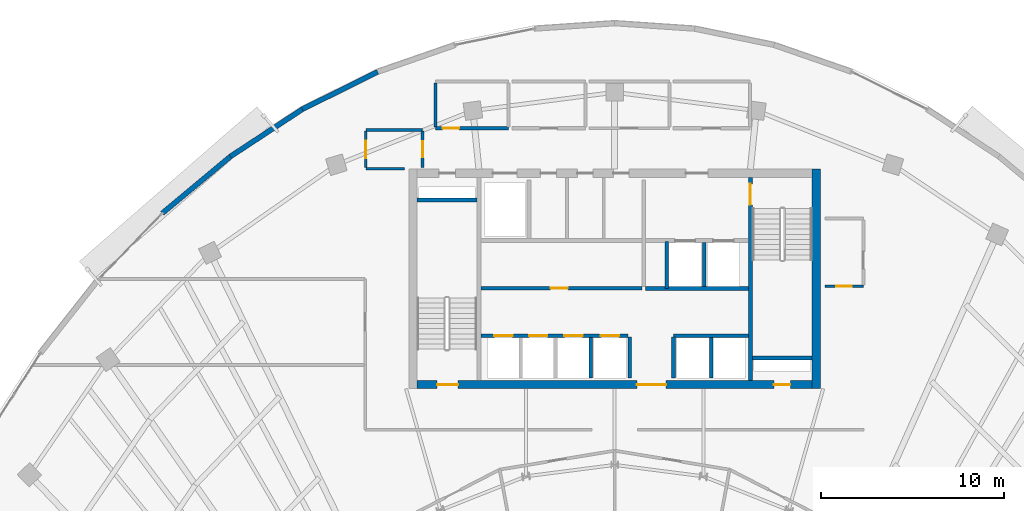
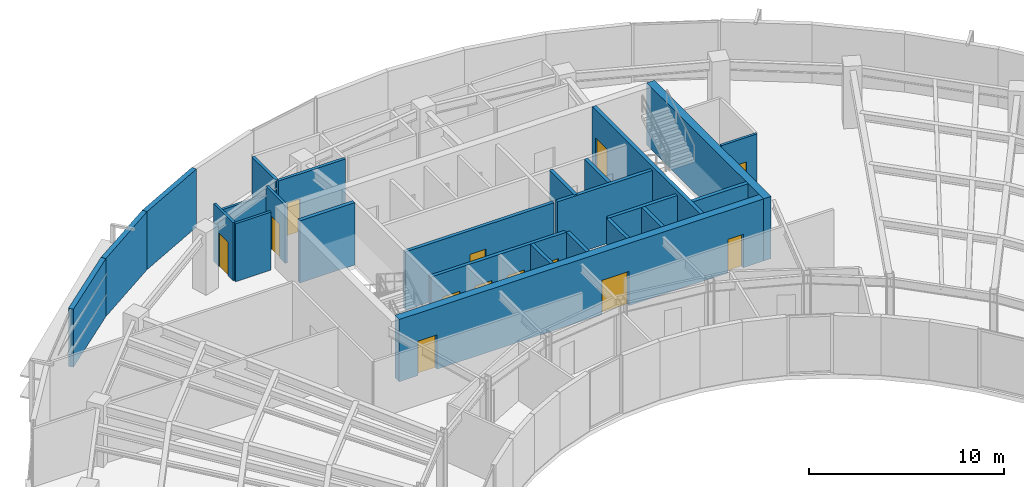
# One storey, part 9 of 14: 25 walls, 13 doors, 13 openings.
"""IFC4 building model written with IfcOpenShell, lengths in metres."""

from ifc_helpers import new_model, si_unit, direction, frame, frame_2d, origin, place, context, subcontext, project, spatial, rectangle, extrude, source, transform, mapped, material, layer, layer_set, type_object, type_shapes, element, fill, save


model = new_model("IFC4")

# Units and contexts
model_context = context("Model", 3, precision=1e-05, world=origin(), true_north=direction((0.0, 1.0)))
body_context = subcontext(model_context, "Body", "Model", "MODEL_VIEW")
ifc_project = project(units=[si_unit("LENGTHUNIT", "METRE"), si_unit("AREAUNIT", "SQUARE_METRE"), si_unit("VOLUMEUNIT", "CUBIC_METRE"), si_unit("PLANEANGLEUNIT", "RADIAN"), si_unit("MASSUNIT", "GRAM", prefix="KILO")], contexts=[model_context])

# Site, building, storey
site_placement = place(None, origin())
site = spatial("IfcSite", under=ifc_project, at=site_placement, CompositionType="ELEMENT")
building_placement = place(site_placement, origin())
building = spatial("IfcBuilding", under=site, at=building_placement, Name="Breltana Convention Tower", CompositionType="ELEMENT")
storey_placement = place(building_placement, frame((0.0, 0.0, 211.800048828125)))
storey = spatial("IfcBuildingStorey", under=building, at=storey_placement, Name="L51", CompositionType="ELEMENT", Elevation=211.800048828125)

# Walls
ifc_material_1 = material(Name="Concrete C50/60", Category="concrete")
ifc_layer_1 = layer(ifc_material_1, 0.39990234375, Name="Concrete C50/60")
ifc_layer_set_1 = layer_set([ifc_layer_1], Name="Concrete C50/60")
wall_type_1 = type_object("IfcWallType", Name="SW-CORE-400", PredefinedType="SHEAR", material=ifc_layer_set_1)
shared_shape_1 = source(origin(), body_context, "Body", "SweptSolid", [
    extrude(rectangle(XDim=3.27001953125, YDim=0.219970703125, at=frame_2d((1.635009765625, 0.0))), origin(), (0.0, 0.0, 1.0), 3.89990234375),
])
for number, where, z_axis, x_axis, name in (
    (1, (37.199951171875, 70.510009765625, 0.0), (0.0, 0.0, 1.0), (1.0, 0.0, 0.0), "L51 ST-1 Stairwell North Bearing Wall"),
    (2, (55.530029296875, 61.889892578125, 0.0), (0.0, 0.0, 1.0), (1.0, 0.0, 0.0), "L51 ST-2 Stairwell South Bearing Wall"),
):
    element("IfcWall", number, at=place(storey_placement, frame(where, z_axis=z_axis, x_axis=x_axis)), inside=storey, type_object=wall_type_1, Name=name, PredefinedType="SHEAR", context=body_context, shape_type="MappedRepresentation", body=[
        mapped(shared_shape_1, transform((0.0, 0.0, 0.0), scale=1.0)),
    ])
ifc_material_2 = material(Name="Concrete C60/75", Category="concrete")
ifc_layer_2 = layer(ifc_material_2, 0.449951171875, Name="Concrete C60/75")
ifc_layer_set_2 = layer_set([ifc_layer_2], Name="Concrete C60/75")
wall_type_2 = type_object("IfcWallType", Name="SW-CORE-450", PredefinedType="SHEAR", material=ifc_layer_set_2)
shared_shape_2 = source(origin(), body_context, "Body", "SweptSolid", [
    extrude(rectangle(XDim=12.0, YDim=0.449951171875, at=frame_2d((6.0, 0.0))), origin(), (0.0, 0.0, 1.0), 3.89990234375),
])
wall_1_placement = place(storey_placement, frame((59.02490234375, 60.199951171875, 0.0), z_axis=(0.0, 0.0, 1.0), x_axis=(0.0, 1.0, 0.0)))
element("IfcWall", 3, at=wall_1_placement, inside=storey, type_object=wall_type_2, Name="L51 East Core Shear Wall", PredefinedType="SHEAR", context=body_context, shape_type="MappedRepresentation", body=[
    mapped(shared_shape_2, transform((0.0, 0.0, 0.0), scale=1.0)),
])

# Wall, openings, doors
shared_shape_3 = source(origin(), body_context, "Body", "SweptSolid", [
    extrude(rectangle(XDim=21.60009765625, YDim=0.449951171875, at=frame_2d((10.800048828125, 0.0))), origin(), (0.0, 0.0, 1.0), 3.89990234375),
])
wall_2_placement = place(storey_placement, frame((37.199951171875, 60.425048828125, 0.0), z_axis=(0.0, 0.0, 1.0), x_axis=(1.0, 0.0, 0.0)))
wall_2 = element("IfcWall", 4, at=wall_2_placement, inside=storey, type_object=wall_type_2, Name="L51 South Core Shear Wall", PredefinedType="SHEAR", context=body_context, shape_type="MappedRepresentation", body=[
    mapped(shared_shape_3, transform((0.0, 0.0, 0.0), scale=1.0)),
])
opening_1_placement = place(wall_2_placement, frame((1.10009765625, 0.0, 0.0)))
opening_1 = element("IfcOpeningElement", 5, at=opening_1_placement, cuts=wall_2, Name="Opening D-11", PredefinedType="OPENING", context=body_context, shape_type="SweptSolid", body=[
    extrude(rectangle(XDim=1.14990234375, YDim=2.14990234375, at=frame_2d((0.574951171875, 1.074951171875))), frame((0.0, 0.23486328125, 0.0), z_axis=(0.0, -1.0, 0.0), x_axis=(1.0, 0.0, 0.0)), (0.0, 0.0, 1.0), 0.469970703125),
])
opening_2_placement = place(wall_2_placement, frame((19.5, 0.0, 0.0)))
opening_2 = element("IfcOpeningElement", 6, at=opening_2_placement, cuts=wall_2, Name="Opening D-18", PredefinedType="OPENING", context=body_context, shape_type="SweptSolid", body=[
    extrude(rectangle(XDim=0.89990234375, YDim=2.10009765625, at=frame_2d((0.449951171875, 1.050048828125))), frame((0.0, 0.23486328125, 0.0), z_axis=(0.0, -1.0, 0.0), x_axis=(1.0, 0.0, 0.0)), (0.0, 0.0, 1.0), 0.469970703125),
])
opening_3_placement = place(wall_2_placement, frame((12.02001953125, 0.0, 0.0)))
opening_3 = element("IfcOpeningElement", 7, at=opening_3_placement, cuts=wall_2, Name="Opening D-02", PredefinedType="OPENING", context=body_context, shape_type="SweptSolid", body=[
    extrude(rectangle(XDim=1.60009765625, YDim=2.14990234375, at=frame_2d((0.800048828125, 1.074951171875))), frame((0.0, 0.23486328125, 0.0), z_axis=(0.0, -1.0, 0.0), x_axis=(1.0, 0.0, 0.0)), (0.0, 0.0, 1.0), 0.469970703125),
])
ifc_material_3 = material(Name="Steel Stair Exit Door", Category="steel")
door_type_1 = type_object("IfcDoorType", Name="DR-FD120-1150", OperationType="NOTDEFINED", PredefinedType="DOOR", material=ifc_material_3)
shared_shape_4 = source(origin(), body_context, "Body", "SweptSolid", [
    extrude(rectangle(XDim=1.14990234375, YDim=2.14990234375, at=frame_2d((0.574951171875, 1.074951171875))), frame((0.0, 0.02490234375, 0.0), z_axis=(0.0, -1.0, 0.0), x_axis=(1.0, 0.0, 0.0)), (0.0, 0.0, 1.0), 0.050048828125),
])
type_shapes(door_type_1, [shared_shape_4])
door_1_placement = place(opening_1_placement, origin())
door_1 = element("IfcDoor", 8, at=door_1_placement, inside=storey, type_object=door_type_1, Name="L51 interior door D-L51-ST1", OperationType="SINGLE_SWING_LEFT", OverallHeight=2.14990234375, OverallWidth=1.14990234375, PredefinedType="DOOR", context=body_context, shape_type="MappedRepresentation", body=[
    mapped(shared_shape_4, transform((0.0, 0.0, 0.0), scale=1.0)),
])
fill(opening_1, door_1)
ifc_material_4 = material(Name="Steel Riser Fire Door", Category="steel")
door_type_2 = type_object("IfcDoorType", Name="DR-FD60-900", OperationType="NOTDEFINED", PredefinedType="DOOR", material=ifc_material_4)
shared_shape_5 = source(origin(), body_context, "Body", "SweptSolid", [
    extrude(rectangle(XDim=0.89990234375, YDim=2.10009765625, at=frame_2d((0.449951171875, 1.050048828125))), frame((0.0, 0.02490234375, 0.0), z_axis=(0.0, -1.0, 0.0), x_axis=(1.0, 0.0, 0.0)), (0.0, 0.0, 1.0), 0.050048828125),
])
type_shapes(door_type_2, [shared_shape_5])
door_2_placement = place(opening_2_placement, origin())
door_2 = element("IfcDoor", 9, at=door_2_placement, inside=storey, type_object=door_type_2, Name="L51 Core Riser Access Door D-L51-RS2", OperationType="SINGLE_SWING_RIGHT", OverallHeight=2.10009765625, OverallWidth=0.89990234375, PredefinedType="DOOR", context=body_context, shape_type="MappedRepresentation", body=[
    mapped(shared_shape_5, transform((0.0, 0.0, 0.0), scale=1.0)),
])
fill(opening_2, door_2)
ifc_material_5 = material(Name="Steel Glazed Smoke-Control Door", Category="steel")
door_type_3 = type_object("IfcDoorType", Name="DR-DBL-FD90-1600", OperationType="DOUBLE_DOOR_SINGLE_SWING", PredefinedType="DOOR", material=ifc_material_5)
shared_shape_6 = source(origin(), body_context, "Body", "SweptSolid", [
    extrude(rectangle(XDim=1.60009765625, YDim=2.14990234375, at=frame_2d((0.800048828125, 1.074951171875))), frame((0.0, 0.02490234375, 0.0), z_axis=(0.0, -1.0, 0.0), x_axis=(1.0, 0.0, 0.0)), (0.0, 0.0, 1.0), 0.050048828125),
])
type_shapes(door_type_3, [shared_shape_6])
door_3_placement = place(opening_3_placement, origin())
door_3 = element("IfcDoor", 10, at=door_3_placement, inside=storey, type_object=door_type_3, Name="L51 interior door D-L51-LLB-S", OperationType="DOUBLE_DOOR_SINGLE_SWING", OverallHeight=2.14990234375, OverallWidth=1.60009765625, PredefinedType="DOOR", context=body_context, shape_type="MappedRepresentation", body=[
    mapped(shared_shape_6, transform((0.0, 0.0, 0.0), scale=1.0)),
])
fill(opening_3, door_3)

# Wall, opening, door
shared_shape_7 = source(origin(), body_context, "Body", "SweptSolid", [
    extrude(rectangle(XDim=11.10009765625, YDim=0.219970703125, at=frame_2d((5.550048828125, 0.0))), origin(), (0.0, 0.0, 1.0), 3.89990234375),
])
wall_3_placement = place(storey_placement, frame((55.419921875, 60.64990234375, 0.0), z_axis=(0.0, 0.0, 1.0), x_axis=(0.0, 1.0, 0.0)))
wall_3 = element("IfcWall", 11, at=wall_3_placement, inside=storey, type_object=wall_type_1, Name="L51 Core East Stair Spine Wall", PredefinedType="SHEAR", context=body_context, shape_type="MappedRepresentation", body=[
    mapped(shared_shape_7, transform((0.0, 0.0, 0.0), scale=1.0)),
])
opening_4_placement = place(wall_3_placement, frame((9.594970703125, 0.0, 0.0)))
opening_4 = element("IfcOpeningElement", 12, at=opening_4_placement, cuts=wall_3, Name="Opening D-11", PredefinedType="OPENING", context=body_context, shape_type="SweptSolid", body=[
    extrude(rectangle(XDim=1.14990234375, YDim=2.14990234375, at=frame_2d((0.574951171875, 1.074951171875))), frame((0.0, 0.1201171875, 0.0), z_axis=(0.0, -1.0, 0.0), x_axis=(1.0, 0.0, 0.0)), (0.0, 0.0, 1.0), 0.239990234375),
])
door_4_placement = place(opening_4_placement, origin())
door_4 = element("IfcDoor", 13, at=door_4_placement, inside=storey, type_object=door_type_1, Name="L51 interior door D-L51-ST2", OperationType="SINGLE_SWING_LEFT", OverallHeight=2.14990234375, OverallWidth=1.14990234375, PredefinedType="DOOR", context=body_context, shape_type="MappedRepresentation", body=[
    mapped(shared_shape_4, transform((0.0, 0.0, 0.0), scale=1.0)),
])
fill(opening_4, door_4)

# Walls
ifc_material_6 = material(Name="Limestone Buff Insulated Wall", Category="masonry")
ifc_layer_3 = layer(ifc_material_6, 0.280029296875, Name="Limestone Buff Insulated Wall")
ifc_layer_set_3 = layer_set([ifc_layer_3], Name="Limestone Buff Insulated Wall")
wall_type_3 = type_object("IfcWallType", Name="WL-EXT-NOSE-280", PredefinedType="SOLIDWALL", material=ifc_layer_set_3)
shared_shape_8 = source(origin(), body_context, "Body", "SweptSolid", [
    extrude(rectangle(XDim=4.851806640625, YDim=0.280029296875, at=frame_2d((2.42578125, 0.0))), origin(), (0.0, 0.0, 1.0), 3.639892578125),
])
wall_4_placement = place(storey_placement, frame((23.26806640625, 69.787841796875, 0.0), z_axis=(0.0, 0.0, 1.0), x_axis=(0.767936605821, 0.640525853843, 0.0)))
element("IfcWall", 14, at=wall_4_placement, inside=storey, type_object=wall_type_3, Name="L51 curved limestone nose wall E21", PredefinedType="SOLIDWALL", context=body_context, shape_type="MappedRepresentation", body=[
    mapped(shared_shape_8, transform((0.0, 0.0, 0.0), scale=1.0)),
])
shared_shape_9 = source(origin(), body_context, "Body", "SweptSolid", [
    extrude(rectangle(XDim=4.712646484375, YDim=0.280029296875, at=frame_2d((2.3564453125, 0.0))), origin(), (0.0, 0.0, 1.0), 3.639892578125),
])
wall_5_placement = place(storey_placement, frame((26.993896484375, 72.8955078125, 0.0), z_axis=(0.0, 0.0, 1.0), x_axis=(0.835974386457, 0.548768462275, 0.0)))
element("IfcWall", 15, at=wall_5_placement, inside=storey, type_object=wall_type_3, Name="L51 curved limestone nose wall E22", PredefinedType="SOLIDWALL", context=body_context, shape_type="MappedRepresentation", body=[
    mapped(shared_shape_9, transform((0.0, 0.0, 0.0), scale=1.0)),
])
shared_shape_10 = source(origin(), body_context, "Body", "SweptSolid", [
    extrude(rectangle(XDim=4.59033203125, YDim=0.280029296875, at=frame_2d((2.295166015625, 0.0))), origin(), (0.0, 0.0, 1.0), 3.639892578125),
])
wall_6_placement = place(storey_placement, frame((30.93359375, 75.481689453125, 0.0), z_axis=(0.0, 0.0, 1.0), x_axis=(0.895974834987, 0.444104824418, 0.0)))
element("IfcWall", 16, at=wall_6_placement, inside=storey, type_object=wall_type_3, Name="L51 curved limestone nose wall E23", PredefinedType="SOLIDWALL", context=body_context, shape_type="MappedRepresentation", body=[
    mapped(shared_shape_10, transform((0.0, 0.0, 0.0), scale=1.0)),
])
ifc_material_7 = material(Name="Autoclaved Aerated Concrete Block", Category="concrete")
ifc_layer_4 = layer(ifc_material_7, 0.199951171875, Name="Autoclaved Aerated Concrete Block")
ifc_layer_set_4 = layer_set([ifc_layer_4], Name="Autoclaved Aerated Concrete Block")
wall_type_4 = type_object("IfcWallType", Name="WL-SHAFT-200", PredefinedType="SOLIDWALL", material=ifc_layer_set_4)
shared_shape_11 = source(origin(), body_context, "Body", "SweptSolid", [
    extrude(rectangle(XDim=2.239990234375, YDim=0.199951171875, at=frame_2d((1.1201171875, 0.0))), origin(), (0.0, 0.0, 1.0), 3.639892578125),
])
for number, where, z_axis, x_axis, name in (
    (17, (48.820068359375, 60.780029296875, 0.0), (0.0, 0.0, 1.0), (0.0, 1.0, 0.0), "L51 interior partition W-L51-PORT-W"),
    (18, (51.219970703125, 60.780029296875, 0.0), (0.0, 0.0, 1.0), (0.0, 1.0, 0.0), "L51 interior partition W-L51-PORT-E"),
):
    element("IfcWall", number, at=place(storey_placement, frame(where, z_axis=z_axis, x_axis=x_axis)), inside=storey, type_object=wall_type_4, Name=name, PredefinedType="SOLIDWALL", context=body_context, shape_type="MappedRepresentation", body=[
        mapped(shared_shape_11, transform((0.0, 0.0, 0.0), scale=1.0)),
    ])
shared_shape_12 = source(origin(), body_context, "Body", "SweptSolid", [
    extrude(rectangle(XDim=5.6201171875, YDim=0.199951171875, at=frame_2d((2.81005859375, 0.0))), origin(), (0.0, 0.0, 1.0), 3.639892578125),
])
wall_7_placement = place(storey_placement, frame((49.699951171875, 65.679931640625, 0.0), z_axis=(0.0, 0.0, 1.0), x_axis=(1.0, 0.0, 0.0)))
element("IfcWall", 19, at=wall_7_placement, inside=storey, type_object=wall_type_4, Name="L51 interior partition W-L51-FL-S", PredefinedType="SOLIDWALL", context=body_context, shape_type="MappedRepresentation", body=[
    mapped(shared_shape_12, transform((0.0, 0.0, 0.0), scale=1.0)),
])
shared_shape_13 = source(origin(), body_context, "Body", "SweptSolid", [
    extrude(rectangle(XDim=2.580078125, YDim=0.199951171875, at=frame_2d((1.2900390625, 0.0))), origin(), (0.0, 0.0, 1.0), 3.639892578125),
])
wall_8_placement = place(storey_placement, frame((50.85009765625, 65.679931640625, 0.0), z_axis=(0.0, 0.0, 1.0), x_axis=(0.0, 1.0, 0.0)))
element("IfcWall", 20, at=wall_8_placement, inside=storey, type_object=wall_type_4, Name="L51 interior partition W-L51-FL-W", PredefinedType="SOLIDWALL", context=body_context, shape_type="MappedRepresentation", body=[
    mapped(shared_shape_13, transform((0.0, 0.0, 0.0), scale=1.0)),
])
shared_shape_14 = source(origin(), body_context, "Body", "SweptSolid", [
    extrude(rectangle(XDim=2.39990234375, YDim=0.199951171875, at=frame_2d((1.199951171875, 0.0))), origin(), (0.0, 0.0, 1.0), 3.639892578125),
])
wall_9_placement = place(storey_placement, frame((52.89990234375, 65.800048828125, 0.0), z_axis=(0.0, 0.0, 1.0), x_axis=(0.0, 1.0, 0.0)))
element("IfcWall", 21, at=wall_9_placement, inside=storey, type_object=wall_type_4, Name="L51 interior partition W-L51-FL-DIV", PredefinedType="SOLIDWALL", context=body_context, shape_type="MappedRepresentation", body=[
    mapped(shared_shape_14, transform((0.0, 0.0, 0.0), scale=1.0)),
])

# Wall, opening, door
shared_shape_15 = source(origin(), body_context, "Body", "SweptSolid", [
    extrude(rectangle(XDim=8.800048828125, YDim=0.199951171875, at=frame_2d((4.39990234375, 0.0))), origin(), (0.0, 0.0, 1.0), 3.639892578125),
])
wall_10_placement = place(storey_placement, frame((40.699951171875, 65.699951171875, 0.0), z_axis=(0.0, 0.0, 1.0), x_axis=(1.0, 0.0, 0.0)))
wall_10 = element("IfcWall", 22, at=wall_10_placement, inside=storey, type_object=wall_type_4, Name="L51 interior partition W-L51-SH-M-FRONT", PredefinedType="SOLIDWALL", context=body_context, shape_type="MappedRepresentation", body=[
    mapped(shared_shape_15, transform((0.0, 0.0, 0.0), scale=1.0)),
])
opening_5_placement = place(wall_10_placement, frame((3.800048828125, 0.0, 0.0)))
opening_5 = element("IfcOpeningElement", 23, at=opening_5_placement, cuts=wall_10, Name="Opening D-14", PredefinedType="OPENING", context=body_context, shape_type="SweptSolid", body=[
    extrude(rectangle(XDim=0.949951171875, YDim=2.14990234375, at=frame_2d((0.47509765625, 1.074951171875))), frame((0.0, 0.10986328125, 0.0), z_axis=(0.0, -1.0, 0.0), x_axis=(1.0, 0.0, 0.0)), (0.0, 0.0, 1.0), 0.219970703125),
])
ifc_material_8 = material(Name="Timber Solid-Core Fire Door", Category="wood")
door_type_4 = type_object("IfcDoorType", Name="DR-FD60-950", OperationType="NOTDEFINED", PredefinedType="DOOR", material=ifc_material_8)
shared_shape_16 = source(origin(), body_context, "Body", "SweptSolid", [
    extrude(rectangle(XDim=0.949951171875, YDim=2.14990234375, at=frame_2d((0.47509765625, 1.074951171875))), frame((0.0, 0.02490234375, 0.0), z_axis=(0.0, -1.0, 0.0), x_axis=(1.0, 0.0, 0.0)), (0.0, 0.0, 1.0), 0.050048828125),
])
type_shapes(door_type_4, [shared_shape_16])
door_5_placement = place(opening_5_placement, origin())
door_5 = element("IfcDoor", 24, at=door_5_placement, inside=storey, type_object=door_type_4, Name="L51 interior door D-L51-LV7-B2A", OperationType="SINGLE_SWING_RIGHT", OverallHeight=2.14990234375, OverallWidth=0.949951171875, PredefinedType="DOOR", context=body_context, shape_type="MappedRepresentation", body=[
    mapped(shared_shape_16, transform((0.0, 0.0, 0.0), scale=1.0)),
])
fill(opening_5, door_5)

# Wall, openings, doors
shared_shape_17 = source(origin(), body_context, "Body", "SweptSolid", [
    extrude(rectangle(XDim=8.02001953125, YDim=0.199951171875, at=frame_2d((4.010009765625, 0.0))), origin(), (0.0, 0.0, 1.0), 3.639892578125),
])
wall_11_placement = place(storey_placement, frame((40.699951171875, 63.10009765625, 0.0), z_axis=(0.0, 0.0, 1.0), x_axis=(1.0, 0.0, 0.0)))
wall_11 = element("IfcWall", 25, at=wall_11_placement, inside=storey, type_object=wall_type_4, Name="L51 interior partition W-L51-SH-S-FRONT", PredefinedType="SOLIDWALL", context=body_context, shape_type="MappedRepresentation", body=[
    mapped(shared_shape_17, transform((0.0, 0.0, 0.0), scale=1.0)),
])
opening_6_placement = place(wall_11_placement, frame((0.719970703125, 0.0, 0.0)))
opening_6 = element("IfcOpeningElement", 26, at=opening_6_placement, cuts=wall_11, Name="Opening LD-04", PredefinedType="OPENING", context=body_context, shape_type="SweptSolid", body=[
    extrude(rectangle(XDim=1.0, YDim=2.14990234375, at=frame_2d((0.5, 1.074951171875))), frame((0.0, 0.10986328125, 0.0), z_axis=(0.0, -1.0, 0.0), x_axis=(1.0, 0.0, 0.0)), (0.0, 0.0, 1.0), 0.219970703125),
])
opening_7_placement = place(wall_11_placement, frame((2.6201171875, 0.0, 0.0)))
opening_7 = element("IfcOpeningElement", 27, at=opening_7_placement, cuts=wall_11, Name="Opening LD-04", PredefinedType="OPENING", context=body_context, shape_type="SweptSolid", body=[
    extrude(rectangle(XDim=1.0, YDim=2.14990234375, at=frame_2d((0.5, 1.074951171875))), frame((0.0, 0.10986328125, 0.0), z_axis=(0.0, -1.0, 0.0), x_axis=(1.0, 0.0, 0.0)), (0.0, 0.0, 1.0), 0.219970703125),
])
opening_8_placement = place(wall_11_placement, frame((4.550048828125, 0.0, 0.0)))
opening_8 = element("IfcOpeningElement", 28, at=opening_8_placement, cuts=wall_11, Name="Opening LD-04", PredefinedType="OPENING", context=body_context, shape_type="SweptSolid", body=[
    extrude(rectangle(XDim=1.0, YDim=2.14990234375, at=frame_2d((0.5, 1.074951171875))), frame((0.0, 0.10986328125, 0.0), z_axis=(0.0, -1.0, 0.0), x_axis=(1.0, 0.0, 0.0)), (0.0, 0.0, 1.0), 0.219970703125),
])
opening_9_placement = place(wall_11_placement, frame((6.550048828125, 0.0, 0.0)))
opening_9 = element("IfcOpeningElement", 29, at=opening_9_placement, cuts=wall_11, Name="Opening LD-04", PredefinedType="OPENING", context=body_context, shape_type="SweptSolid", body=[
    extrude(rectangle(XDim=1.0, YDim=2.14990234375, at=frame_2d((0.5, 1.074951171875))), frame((0.0, 0.10986328125, 0.0), z_axis=(0.0, -1.0, 0.0), x_axis=(1.0, 0.0, 0.0)), (0.0, 0.0, 1.0), 0.219970703125),
])
ifc_material_9 = material(Name="Stainless Steel Brushed", Category="steel")
door_type_5 = type_object("IfcDoorType", Name="DR-LD-PAX-1000", OperationType="DOUBLE_DOOR_SLIDING", PredefinedType="DOOR", material=ifc_material_9)
shared_shape_18 = source(origin(), body_context, "Body", "SweptSolid", [
    extrude(rectangle(XDim=1.0, YDim=2.14990234375, at=frame_2d((0.5, 1.074951171875))), frame((0.0, 0.02490234375, 0.0), z_axis=(0.0, -1.0, 0.0), x_axis=(1.0, 0.0, 0.0)), (0.0, 0.0, 1.0), 0.050048828125),
])
type_shapes(door_type_5, [shared_shape_18])
door_6_placement = place(opening_6_placement, origin())
door_6 = element("IfcDoor", 30, at=door_6_placement, inside=storey, type_object=door_type_5, Name="L51 Lift Landing Door D-L51-LD-S1", OperationType="DOUBLE_DOOR_SLIDING", OverallHeight=2.14990234375, OverallWidth=1.0, PredefinedType="DOOR", context=body_context, shape_type="MappedRepresentation", body=[
    mapped(shared_shape_18, transform((0.0, 0.0, 0.0), scale=1.0)),
])
fill(opening_6, door_6)
door_7_placement = place(opening_7_placement, origin())
door_7 = element("IfcDoor", 31, at=door_7_placement, inside=storey, type_object=door_type_5, Name="L51 Lift Landing Door D-L51-LD-S2", OperationType="DOUBLE_DOOR_SLIDING", OverallHeight=2.14990234375, OverallWidth=1.0, PredefinedType="DOOR", context=body_context, shape_type="MappedRepresentation", body=[
    mapped(shared_shape_18, transform((0.0, 0.0, 0.0), scale=1.0)),
])
fill(opening_7, door_7)
door_8_placement = place(opening_8_placement, origin())
door_8 = element("IfcDoor", 32, at=door_8_placement, inside=storey, type_object=door_type_5, Name="L51 Lift Landing Door D-L51-LD-S3", OperationType="DOUBLE_DOOR_SLIDING", OverallHeight=2.14990234375, OverallWidth=1.0, PredefinedType="DOOR", context=body_context, shape_type="MappedRepresentation", body=[
    mapped(shared_shape_18, transform((0.0, 0.0, 0.0), scale=1.0)),
])
fill(opening_8, door_8)
door_9_placement = place(opening_9_placement, origin())
door_9 = element("IfcDoor", 33, at=door_9_placement, inside=storey, type_object=door_type_5, Name="L51 Lift Landing Door D-L51-LD-S4", OperationType="DOUBLE_DOOR_SLIDING", OverallHeight=2.14990234375, OverallWidth=1.0, PredefinedType="DOOR", context=body_context, shape_type="MappedRepresentation", body=[
    mapped(shared_shape_18, transform((0.0, 0.0, 0.0), scale=1.0)),
])
fill(opening_9, door_9)

# Walls
shared_shape_19 = source(origin(), body_context, "Body", "SweptSolid", [
    extrude(rectangle(XDim=4.10009765625, YDim=0.199951171875, at=frame_2d((2.050048828125, 0.0))), origin(), (0.0, 0.0, 1.0), 3.639892578125),
])
wall_12_placement = place(storey_placement, frame((51.219970703125, 63.10009765625, 0.0), z_axis=(0.0, 0.0, 1.0), x_axis=(1.0, 0.0, 0.0)))
element("IfcWall", 34, at=wall_12_placement, inside=storey, type_object=wall_type_4, Name="L51 interior partition W-L51-SH-X-FRONT", PredefinedType="SOLIDWALL", context=body_context, shape_type="MappedRepresentation", body=[
    mapped(shared_shape_19, transform((0.0, 0.0, 0.0), scale=1.0)),
])
shared_shape_20 = source(origin(), body_context, "Body", "SweptSolid", [
    extrude(rectangle(XDim=2.199951171875, YDim=0.199951171875, at=frame_2d((1.10009765625, 0.0))), origin(), (0.0, 0.0, 1.0), 3.639892578125),
])
for number, where, z_axis, x_axis, name in (
    (35, (46.699951171875, 60.800048828125, 0.0), (0.0, 0.0, 1.0), (0.0, 1.0, 0.0), "L51 interior partition W-L51-SH-S-DIV3"),
    (36, (53.280029296875, 60.800048828125, 0.0), (0.0, 0.0, 1.0), (0.0, 1.0, 0.0), "L51 interior partition W-L51-SH-X-DIV"),
):
    element("IfcWall", number, at=place(storey_placement, frame(where, z_axis=z_axis, x_axis=x_axis)), inside=storey, type_object=wall_type_4, Name=name, PredefinedType="SOLIDWALL", context=body_context, shape_type="MappedRepresentation", body=[
        mapped(shared_shape_20, transform((0.0, 0.0, 0.0), scale=1.0)),
    ])
ifc_material_10 = material(Name="Gypsum Acoustic Drywall Partition")
ifc_layer_5 = layer(ifc_material_10, 0.14990234375, Name="Gypsum Acoustic Drywall Partition")
ifc_layer_set_5 = layer_set([ifc_layer_5], Name="Gypsum Acoustic Drywall Partition")
wall_type_5 = type_object("IfcWallType", Name="WL-PART-150", PredefinedType="PARTITIONING", material=ifc_layer_set_5)
shared_shape_21 = source(origin(), body_context, "Body", "SweptSolid", [
    extrude(rectangle(XDim=2.10009765625, YDim=0.14990234375, at=frame_2d((1.050048828125, 0.0))), origin(), (0.0, 0.0, 1.0), 3.639892578125),
])
wall_13_placement = place(storey_placement, frame((34.39990234375, 72.219970703125, 0.0), z_axis=(0.0, 0.0, 1.0), x_axis=(1.0, 0.0, 0.0)))
element("IfcWall", 37, at=wall_13_placement, inside=storey, type_object=wall_type_5, Name="L51 interior partition W-L51-CRNE-S", PredefinedType="PARTITIONING", context=body_context, shape_type="MappedRepresentation", body=[
    mapped(shared_shape_21, transform((0.0, 0.0, 0.0), scale=1.0)),
])

# Wall, opening, door
wall_14_placement = place(storey_placement, frame((59.5, 65.800048828125, 0.0), z_axis=(0.0, 0.0, 1.0), x_axis=(1.0, 0.0, 0.0)))
wall_14 = element("IfcWall", 38, at=wall_14_placement, inside=storey, type_object=wall_type_5, Name="L51 interior partition W-L51-CRSE-S", PredefinedType="PARTITIONING", context=body_context, shape_type="MappedRepresentation", body=[
    mapped(shared_shape_21, transform((0.0, 0.0, 0.0), scale=1.0)),
])
opening_10_placement = place(wall_14_placement, frame((0.625, 0.0, 0.0)))
opening_10 = element("IfcOpeningElement", 39, at=opening_10_placement, cuts=wall_14, Name="Opening D-20", PredefinedType="OPENING", context=body_context, shape_type="SweptSolid", body=[
    extrude(rectangle(XDim=0.85009765625, YDim=2.10009765625, at=frame_2d((0.425048828125, 1.050048828125))), frame((0.0, 0.0849609375, 0.0), z_axis=(0.0, -1.0, 0.0), x_axis=(1.0, 0.0, 0.0)), (0.0, 0.0, 1.0), 0.169921875),
])
ifc_material_11 = material(Name="Steel Closet Fire Door", Category="steel")
door_type_6 = type_object("IfcDoorType", Name="DR-FD60-850", OperationType="NOTDEFINED", PredefinedType="DOOR", material=ifc_material_11)
shared_shape_22 = source(origin(), body_context, "Body", "SweptSolid", [
    extrude(rectangle(XDim=0.85009765625, YDim=2.10009765625, at=frame_2d((0.425048828125, 1.050048828125))), frame((0.0, 0.02490234375, 0.0), z_axis=(0.0, -1.0, 0.0), x_axis=(1.0, 0.0, 0.0)), (0.0, 0.0, 1.0), 0.050048828125),
])
type_shapes(door_type_6, [shared_shape_22])
door_10_placement = place(opening_10_placement, origin())
door_10 = element("IfcDoor", 40, at=door_10_placement, inside=storey, type_object=door_type_6, Name="L51 interior door D-L51-CRSE", OperationType="SINGLE_SWING_RIGHT", OverallHeight=2.10009765625, OverallWidth=0.85009765625, PredefinedType="DOOR", context=body_context, shape_type="MappedRepresentation", body=[
    mapped(shared_shape_22, transform((0.0, 0.0, 0.0), scale=1.0)),
])
fill(opening_10, door_10)

shared_shape_23 = source(origin(), body_context, "Body", "SweptSolid", [
    extrude(rectangle(XDim=1.994873046875, YDim=0.14990234375, at=frame_2d((0.99755859375, 0.0))), origin(), (0.0, 0.0, 1.0), 3.639892578125),
])
wall_15_placement = place(storey_placement, frame((34.39990234375, 72.28759765625, 0.0), z_axis=(0.0, 0.0, 1.0), x_axis=(0.0, 1.0, 0.0)))
wall_15 = element("IfcWall", 41, at=wall_15_placement, inside=storey, type_object=wall_type_5, Name="L51 interior partition W-L51-CRNE-W", PredefinedType="PARTITIONING", context=body_context, shape_type="MappedRepresentation", body=[
    mapped(shared_shape_23, transform((0.0, 0.0, 0.0), scale=1.0)),
])
opening_11_placement = place(wall_15_placement, frame((0.5224609375, 0.0, 0.0)))
opening_11 = element("IfcOpeningElement", 42, at=opening_11_placement, cuts=wall_15, Name="Opening D-17", PredefinedType="OPENING", context=body_context, shape_type="SweptSolid", body=[
    extrude(rectangle(XDim=0.949951171875, YDim=2.10009765625, at=frame_2d((0.47509765625, 1.050048828125))), frame((0.0, 0.0849609375, 0.0), z_axis=(0.0, -1.0, 0.0), x_axis=(1.0, 0.0, 0.0)), (0.0, 0.0, 1.0), 0.169921875),
])
ifc_material_12 = material(Name="Timber Oak Veneer Door", Category="wood")
door_type_7 = type_object("IfcDoorType", Name="DR-INT-950", OperationType="NOTDEFINED", PredefinedType="DOOR", material=ifc_material_12)
shared_shape_24 = source(origin(), body_context, "Body", "SweptSolid", [
    extrude(rectangle(XDim=0.949951171875, YDim=2.10009765625, at=frame_2d((0.47509765625, 1.050048828125))), frame((0.0, 0.02490234375, 0.0), z_axis=(0.0, -1.0, 0.0), x_axis=(1.0, 0.0, 0.0)), (0.0, 0.0, 1.0), 0.050048828125),
])
type_shapes(door_type_7, [shared_shape_24])
door_11_placement = place(opening_11_placement, origin())
door_11 = element("IfcDoor", 43, at=door_11_placement, inside=storey, type_object=door_type_7, Name="L51 interior door D-L51-EXW3", OperationType="SINGLE_SWING_LEFT", OverallHeight=2.10009765625, OverallWidth=0.949951171875, PredefinedType="DOOR", context=body_context, shape_type="MappedRepresentation", body=[
    mapped(shared_shape_24, transform((0.0, 0.0, 0.0), scale=1.0)),
])
fill(opening_11, door_11)

shared_shape_25 = source(origin(), body_context, "Body", "SweptSolid", [
    extrude(rectangle(XDim=1.982421875, YDim=0.14990234375, at=frame_2d((0.9912109375, 0.0))), origin(), (0.0, 0.0, 1.0), 3.639892578125),
])
wall_16_placement = place(storey_placement, frame((37.5, 72.300048828125, 0.0), z_axis=(0.0, 0.0, 1.0), x_axis=(0.0, 1.0, 0.0)))
wall_16 = element("IfcWall", 44, at=wall_16_placement, inside=storey, type_object=wall_type_5, Name="L51 interior partition W-L51-CRNE-E", PredefinedType="PARTITIONING", context=body_context, shape_type="MappedRepresentation", body=[
    mapped(shared_shape_25, transform((0.0, 0.0, 0.0), scale=1.0)),
])
opening_12_placement = place(wall_16_placement, frame((0.56640625, 0.0, 0.0)))
opening_12 = element("IfcOpeningElement", 45, at=opening_12_placement, cuts=wall_16, Name="Opening D-20", PredefinedType="OPENING", context=body_context, shape_type="SweptSolid", body=[
    extrude(rectangle(XDim=0.85009765625, YDim=2.10009765625, at=frame_2d((0.425048828125, 1.050048828125))), frame((0.0, 0.0849609375, 0.0), z_axis=(0.0, -1.0, 0.0), x_axis=(1.0, 0.0, 0.0)), (0.0, 0.0, 1.0), 0.169921875),
])
door_12_placement = place(opening_12_placement, origin())
door_12 = element("IfcDoor", 46, at=door_12_placement, inside=storey, type_object=door_type_6, Name="L51 interior door D-L51-CRNE", OperationType="SINGLE_SWING_LEFT", OverallHeight=2.10009765625, OverallWidth=0.85009765625, PredefinedType="DOOR", context=body_context, shape_type="MappedRepresentation", body=[
    mapped(shared_shape_22, transform((0.0, 0.0, 0.0), scale=1.0)),
])
fill(opening_12, door_12)

ifc_material_13 = material(Name="Cement Board Wet-Area Partition")
ifc_layer_6 = layer(ifc_material_13, 0.175048828125, Name="Cement Board Wet-Area Partition")
ifc_layer_set_6 = layer_set([ifc_layer_6], Name="Cement Board Wet-Area Partition")
wall_type_6 = type_object("IfcWallType", Name="WL-WET-175", PredefinedType="PARTITIONING", material=ifc_layer_set_6)
shared_shape_26 = source(origin(), body_context, "Body", "SweptSolid", [
    extrude(rectangle(XDim=4.0, YDim=0.175048828125, at=frame_2d((2.0, 0.0))), origin(), (0.0, 0.0, 1.0), 3.639892578125),
])
wall_17_placement = place(storey_placement, frame((38.199951171875, 74.43994140625, 0.0), z_axis=(0.0, 0.0, 1.0), x_axis=(1.0, 0.0, 0.0)))
wall_17 = element("IfcWall", 47, at=wall_17_placement, inside=storey, type_object=wall_type_6, Name="L51 interior partition W-L51-WCM-S", PredefinedType="PARTITIONING", context=body_context, shape_type="MappedRepresentation", body=[
    mapped(shared_shape_26, transform((0.0, 0.0, 0.0), scale=1.0)),
])
opening_13_placement = place(wall_17_placement, frame((0.39990234375, 0.0, 0.0)))
opening_13 = element("IfcOpeningElement", 48, at=opening_13_placement, cuts=wall_17, Name="Opening D-19", PredefinedType="OPENING", context=body_context, shape_type="SweptSolid", body=[
    extrude(rectangle(XDim=0.89990234375, YDim=2.080078125, at=frame_2d((0.449951171875, 1.0400390625))), frame((0.0, 0.09765625, 0.0), z_axis=(0.0, -1.0, 0.0), x_axis=(1.0, 0.0, 0.0)), (0.0, 0.0, 1.0), 0.195068359375),
])
ifc_material_14 = material(Name="Timber Moisture-Resistant Door", Category="wood")
door_type_8 = type_object("IfcDoorType", Name="DR-WC-900", OperationType="NOTDEFINED", PredefinedType="DOOR", material=ifc_material_14)
shared_shape_27 = source(origin(), body_context, "Body", "SweptSolid", [
    extrude(rectangle(XDim=0.89990234375, YDim=2.080078125, at=frame_2d((0.449951171875, 1.0400390625))), frame((0.0, 0.02490234375, 0.0), z_axis=(0.0, -1.0, 0.0), x_axis=(1.0, 0.0, 0.0)), (0.0, 0.0, 1.0), 0.050048828125),
])
type_shapes(door_type_8, [shared_shape_27])
door_13_placement = place(opening_13_placement, origin())
door_13 = element("IfcDoor", 49, at=door_13_placement, inside=storey, type_object=door_type_8, Name="L51 interior door D-L51-WCM", OperationType="SINGLE_SWING_LEFT", OverallHeight=2.080078125, OverallWidth=0.89990234375, PredefinedType="DOOR", context=body_context, shape_type="MappedRepresentation", body=[
    mapped(shared_shape_27, transform((0.0, 0.0, 0.0), scale=1.0)),
])
fill(opening_13, door_13)

# Walls
shared_shape_28 = source(origin(), body_context, "Body", "SweptSolid", [
    extrude(rectangle(XDim=2.402587890625, YDim=0.175048828125, at=frame_2d((1.201171875, 0.0))), origin(), (0.0, 0.0, 1.0), 3.639892578125),
])
wall_18_placement = place(storey_placement, frame((38.199951171875, 74.518798828125, 0.0), z_axis=(0.0, 0.0, 1.0), x_axis=(0.0, 1.0, 0.0)))
element("IfcWall", 50, at=wall_18_placement, inside=storey, type_object=wall_type_6, Name="L51 interior partition W-L51-WCM-W", PredefinedType="PARTITIONING", context=body_context, shape_type="MappedRepresentation", body=[
    mapped(shared_shape_28, transform((0.0, 0.0, 0.0), scale=1.0)),
])
shared_shape_29 = source(origin(), body_context, "Body", "SweptSolid", [
    extrude(rectangle(XDim=3.10009765625, YDim=0.14990234375, at=frame_2d((1.550048828125, 0.0))), origin(), (0.0, 0.0, 1.0), 3.071044921875),
])
wall_19_placement = place(storey_placement, frame((34.39990234375, 74.35009765625, 0.0), z_axis=(0.0, 0.0, 1.0), x_axis=(1.0, 0.0, 0.0)))
element("IfcWall", 51, at=wall_19_placement, inside=storey, type_object=wall_type_5, Name="L51 interior partition W-L51-CRNE-N", PredefinedType="PARTITIONING", context=body_context, shape_type="MappedRepresentation", body=[
    mapped(shared_shape_29, transform((0.0, 0.0, 0.0), scale=1.0)),
])

save(model, "model.ifc")
